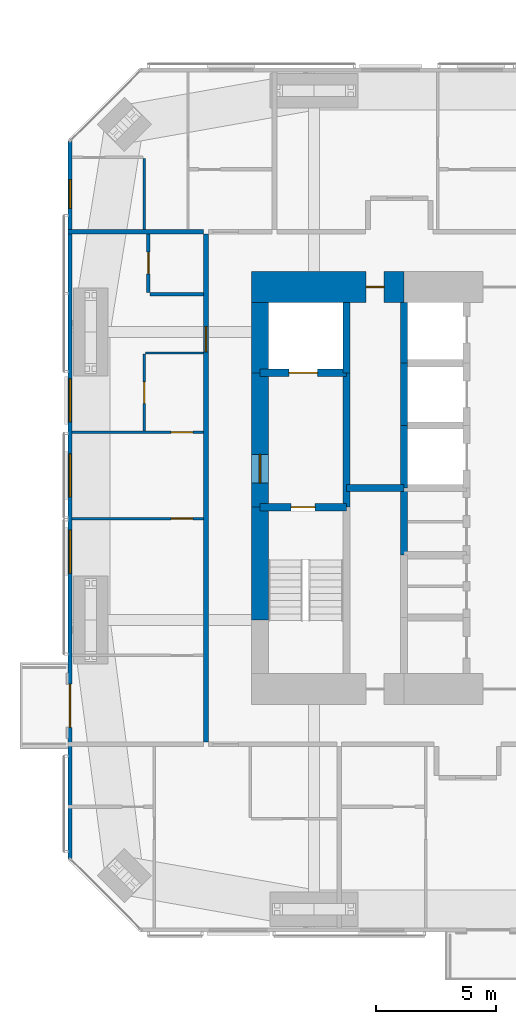
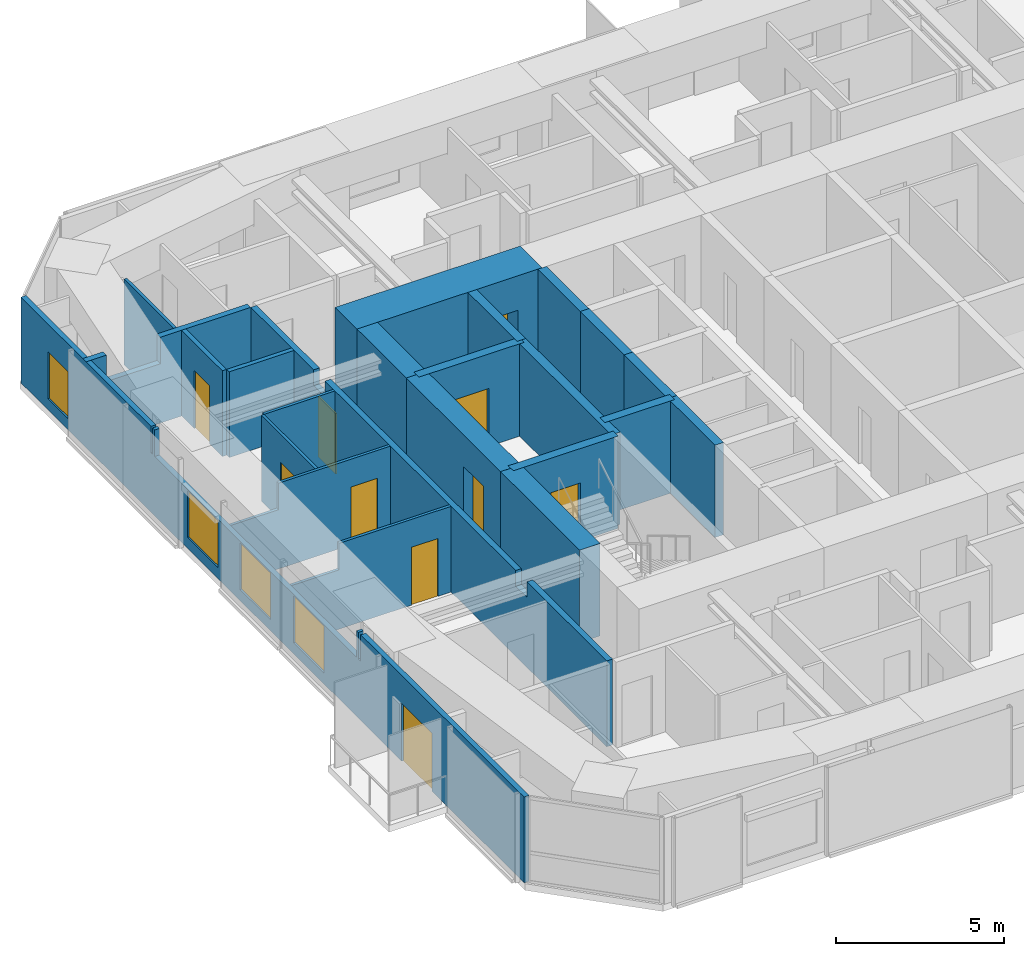
# One storey, part 18 of 23: 23 walls, 10 doors, 4 windows, 14 openings.
"""IFC4 building model written with IfcOpenShell, lengths in metres."""

from ifc_helpers import new_model, si_unit, direction, frame, frame_2d, origin, place, context, subcontext, project, spatial, polyline, rectangle, outline, extrude, material, layer, layer_set, constituent, constituent_set, type_object, element, fill, save


model = new_model("IFC4")

# Units and contexts
model_context = context("Model", 3, precision=1e-05, world=origin(), true_north=direction((0.0, 1.0)))
body_context = subcontext(model_context, "Body", "Model", "MODEL_VIEW")
ifc_project = project(units=[si_unit("LENGTHUNIT", "METRE"), si_unit("AREAUNIT", "SQUARE_METRE"), si_unit("VOLUMEUNIT", "CUBIC_METRE"), si_unit("PLANEANGLEUNIT", "RADIAN"), si_unit("MASSUNIT", "GRAM", prefix="KILO")], contexts=[model_context])

# Site, building, storey
site_placement = place(None, origin())
site = spatial("IfcSite", under=ifc_project, at=site_placement, CompositionType="ELEMENT")
building_placement = place(site_placement, origin())
building = spatial("IfcBuilding", under=site, at=building_placement, Name="Jalousie Tower", CompositionType="ELEMENT")
storey_placement = place(building_placement, frame((0.0, 0.0, 191.199951171875)))
storey = spatial("IfcBuildingStorey", under=building, at=storey_placement, Name="L52", CompositionType="ELEMENT", Elevation=191.199951171875)

# Wall, opening, door
ifc_material_1 = material(Name="Concrete block ASTM C90", Category="concrete")
ifc_constituent_1 = constituent(ifc_material_1, Name="Body")
ifc_material_2 = material(Name="Render")
ifc_constituent_2 = constituent(ifc_material_2, Name="Finish")
ifc_constituent_set_1 = constituent_set(constituents=[ifc_constituent_1, ifc_constituent_2])
wall_type_1 = type_object("IfcWallType", Name="BATHROOM WALL 150", PredefinedType="PLUMBINGWALL", material=ifc_constituent_set_1)
wall_1_placement = place(storey_placement, frame((15.35009765625, 26.64990234375, 0.0), z_axis=(0.0, 0.0, 1.0), x_axis=(0.0, 1.0, 0.0)))
wall_1 = element("IfcWall", 1, at=wall_1_placement, inside=storey, type_object=wall_type_1, Name="Bathroom Wall 150 L52", PredefinedType="PLUMBINGWALL", context=body_context, shape_type="SweptSolid", body=[
    extrude(rectangle(XDim=2.425048828125, YDim=0.14990234375, at=frame_2d((1.21240234375, 0.0))), origin(), (0.0, 0.0, 1.0), 3.110107421875),
])
opening_1_placement = place(wall_1_placement, frame((0.77490234375, 0.0, 0.0)))
opening_1 = element("IfcOpeningElement", 2, at=opening_1_placement, cuts=wall_1, Name="Opening D3", PredefinedType="OPENING", context=body_context, shape_type="SweptSolid", body=[
    extrude(rectangle(XDim=0.89990234375, YDim=2.10009765625, at=frame_2d((0.449951171875, 1.050048828125))), frame((0.0, 0.0849609375, 0.0), z_axis=(0.0, -1.0, 0.0), x_axis=(1.0, 0.0, 0.0)), (0.0, 0.0, 1.0), 0.169921875),
])
ifc_material_3 = material(Name="Timber door", Category="wood")
door_type_1 = type_object("IfcDoorType", Name="BATHROOM DOOR 900", OperationType="SINGLE_SWING_LEFT", PredefinedType="DOOR", material=ifc_material_3)
door_1_placement = place(opening_1_placement, frame((0.89990234375, 0.0, 0.0), z_axis=(0.0, 0.0, 1.0), x_axis=(-1.0, 0.0, 0.0)))
door_1 = element("IfcDoor", 3, at=door_1_placement, inside=storey, type_object=door_type_1, Name="Apartment 5208 bathroom door", OperationType="SINGLE_SWING_LEFT", OverallHeight=2.10009765625, OverallWidth=0.89990234375, PredefinedType="DOOR", context=body_context, shape_type="SweptSolid", body=[
    extrude(rectangle(XDim=0.89990234375, YDim=2.10009765625, at=frame_2d((0.449951171875, 1.050048828125))), frame((0.0, 0.02490234375, 0.0), z_axis=(0.0, -1.0, 0.0), x_axis=(1.0, 0.0, 0.0)), (0.0, 0.0, 1.0), 0.050048828125),
])
fill(opening_1, door_1)

# Wall
wall_2_placement = place(storey_placement, frame((15.425048828125, 26.574951171875, 0.0), z_axis=(0.0, 0.0, 1.0), x_axis=(1.0, 0.0, 0.0)))
element("IfcWall", 4, at=wall_2_placement, inside=storey, type_object=wall_type_1, Name="Bathroom Wall 150 L52", PredefinedType="PLUMBINGWALL", context=body_context, shape_type="SweptSolid", body=[
    extrude(rectangle(XDim=2.224853515625, YDim=0.14990234375, at=frame_2d((1.1123046875, 0.0))), origin(), (0.0, 0.0, 1.0), 3.110107421875),
])

# Wall, opening, door
ifc_material_4 = material(Name="Concrete f'c 120 MPa", Category="concrete")
ifc_layer_1 = layer(ifc_material_4, 1.300048828125)
ifc_layer_set_1 = layer_set([ifc_layer_1], Name="Concrete f'c 120 MPa")
wall_type_2 = type_object("IfcWallType", Name="CORE WALL 1300", PredefinedType="SHEAR", material=ifc_layer_set_1)
wall_3_placement = place(storey_placement, frame((26.0, 26.875, 0.0), z_axis=(0.0, 0.0, 1.0), x_axis=(-1.0, 0.0, 0.0)))
wall_3 = element("IfcWall", 5, at=wall_3_placement, inside=storey, type_object=wall_type_2, Name="Core wall ND L52", PredefinedType="SHEAR", context=body_context, shape_type="SweptSolid", body=[
    extrude(rectangle(XDim=6.35009765625, YDim=1.300048828125, at=frame_2d((3.175048828125, 0.0))), origin(), (0.0, 0.0, 1.0), 3.35009765625),
])
opening_2_placement = place(wall_3_placement, frame((0.824951171875, 0.0, 0.0)))
opening_2 = element("IfcOpeningElement", 6, at=opening_2_placement, cuts=wall_3, Name="Opening D16", PredefinedType="OPENING", context=body_context, shape_type="SweptSolid", body=[
    extrude(rectangle(XDim=0.75, YDim=2.10009765625, at=frame_2d((0.375, 1.050048828125))), frame((0.0, 0.659912109375, 0.0), z_axis=(0.0, -1.0, 0.0), x_axis=(1.0, 0.0, 0.0)), (0.0, 0.0, 1.0), 1.320068359375),
])
ifc_material_5 = material(Name="Steel fire door", Category="steel")
door_type_2 = type_object("IfcDoorType", Name="RISER DOOR 750", OperationType="SINGLE_SWING_LEFT", PredefinedType="DOOR", material=ifc_material_5)
door_2_placement = place(opening_2_placement, origin())
door_2 = element("IfcDoor", 7, at=door_2_placement, inside=storey, type_object=door_type_2, Name="North riser door", OperationType="SINGLE_SWING_RIGHT", OverallHeight=2.10009765625, OverallWidth=0.75, PredefinedType="DOOR", context=body_context, shape_type="SweptSolid", body=[
    extrude(rectangle(XDim=0.75, YDim=2.10009765625, at=frame_2d((0.375, 1.050048828125))), frame((0.0, 0.02490234375, 0.0), z_axis=(0.0, -1.0, 0.0), x_axis=(1.0, 0.0, 0.0)), (0.0, 0.0, 1.0), 0.050048828125),
])
fill(opening_2, door_2)

# Walls
ifc_material_6 = material(Name="Concrete f'c 120 MPa", Category="concrete")
ifc_layer_2 = layer(ifc_material_6, 0.300048828125)
ifc_layer_set_2 = layer_set([ifc_layer_2], Name="Concrete f'c 120 MPa")
wall_type_3 = type_object("IfcWallType", Name="CORE WALL 300", PredefinedType="SHEAR", material=ifc_layer_set_2)
wall_4_placement = place(storey_placement, frame((23.60009765625, 17.699951171875, 0.0), z_axis=(0.0, 0.0, 1.0), x_axis=(0.0, 1.0, 0.0)))
element("IfcWall", 8, at=wall_4_placement, inside=storey, type_object=wall_type_3, Name="Core wall X23.6B L52", PredefinedType="SHEAR", context=body_context, shape_type="SweptSolid", body=[
    extrude(rectangle(XDim=5.60009765625, YDim=0.300048828125, at=frame_2d((2.800048828125, 0.0))), origin(), (0.0, 0.0, 1.0), 3.35009765625),
])
wall_5_placement = place(storey_placement, frame((23.60009765625, 23.300048828125, 0.0), z_axis=(0.0, 0.0, 1.0), x_axis=(0.0, 1.0, 0.0)))
element("IfcWall", 9, at=wall_5_placement, inside=storey, type_object=wall_type_3, Name="Core wall X23.6C L52", PredefinedType="SHEAR", context=body_context, shape_type="SweptSolid", body=[
    extrude(rectangle(XDim=2.925048828125, YDim=0.300048828125, at=frame_2d((1.46240234375, 0.0))), origin(), (0.0, 0.0, 1.0), 3.35009765625),
])
wall_6_placement = place(storey_placement, frame((26.0, 15.699951171875, 0.0), z_axis=(0.0, 0.0, 1.0), x_axis=(0.0, 1.0, 0.0)))
element("IfcWall", 10, at=wall_6_placement, inside=storey, type_object=wall_type_3, Name="Core wall X26C L52", PredefinedType="SHEAR", context=body_context, shape_type="SweptSolid", body=[
    extrude(rectangle(XDim=2.800048828125, YDim=0.300048828125, at=frame_2d((1.39990234375, 0.0))), origin(), (0.0, 0.0, 1.0), 3.35009765625),
])
wall_7_placement = place(storey_placement, frame((26.0, 18.5, 0.0), z_axis=(0.0, 0.0, 1.0), x_axis=(0.0, 1.0, 0.0)))
element("IfcWall", 11, at=wall_7_placement, inside=storey, type_object=wall_type_3, Name="Core wall X26D L52", PredefinedType="SHEAR", context=body_context, shape_type="SweptSolid", body=[
    extrude(rectangle(XDim=2.60009765625, YDim=0.300048828125, at=frame_2d((1.300048828125, 0.0))), origin(), (0.0, 0.0, 1.0), 3.35009765625),
])
wall_8_placement = place(storey_placement, frame((26.0, 21.10009765625, 0.0), z_axis=(0.0, 0.0, 1.0), x_axis=(0.0, 1.0, 0.0)))
element("IfcWall", 12, at=wall_8_placement, inside=storey, type_object=wall_type_3, Name="Core wall X26E L52", PredefinedType="SHEAR", context=body_context, shape_type="SweptSolid", body=[
    extrude(rectangle(XDim=2.599853515625, YDim=0.300048828125, at=frame_2d((1.2998046875, 0.0))), origin(), (0.0, 0.0, 1.0), 3.35009765625),
])
wall_9_placement = place(storey_placement, frame((26.0, 23.699951171875, 0.0), z_axis=(0.0, 0.0, 1.0), x_axis=(0.0, 1.0, 0.0)))
element("IfcWall", 13, at=wall_9_placement, inside=storey, type_object=wall_type_3, Name="Core wall X26F L52", PredefinedType="SHEAR", context=body_context, shape_type="SweptSolid", body=[
    extrude(rectangle(XDim=2.525146484375, YDim=0.300048828125, at=frame_2d((1.2626953125, 0.0))), origin(), (0.0, 0.0, 1.0), 3.35009765625),
])

# Wall, opening, door
wall_10_placement = place(storey_placement, frame((20.0, 17.699951171875, 0.0), z_axis=(0.0, 0.0, 1.0), x_axis=(1.0, 0.0, 0.0)))
wall_10 = element("IfcWall", 14, at=wall_10_placement, inside=storey, type_object=wall_type_3, Name="Core wall Y20-17.7 L52", PredefinedType="SHEAR", context=body_context, shape_type="SweptSolid", body=[
    extrude(rectangle(XDim=3.60009765625, YDim=0.300048828125, at=frame_2d((1.800048828125, 0.0))), origin(), (0.0, 0.0, 1.0), 3.35009765625),
])
opening_3_placement = place(wall_10_placement, frame((1.300048828125, 0.0, 0.0)))
opening_3 = element("IfcOpeningElement", 15, at=opening_3_placement, cuts=wall_10, Name="Opening D10", PredefinedType="OPENING", context=body_context, shape_type="SweptSolid", body=[
    extrude(rectangle(XDim=1.0, YDim=2.10009765625, at=frame_2d((0.5, 1.050048828125))), frame((0.0, 0.159912109375, 0.0), z_axis=(0.0, -1.0, 0.0), x_axis=(1.0, 0.0, 0.0)), (0.0, 0.0, 1.0), 0.320068359375),
])
ifc_material_7 = material(Name="Steel fire door", Category="steel")
door_type_3 = type_object("IfcDoorType", Name="STAIR DOOR 1000", OperationType="SINGLE_SWING_LEFT", PredefinedType="DOOR", material=ifc_material_7)
door_3_placement = place(opening_3_placement, frame((1.0, 0.0, 0.0), z_axis=(0.0, 0.0, 1.0), x_axis=(-1.0, 0.0, 0.0)))
door_3 = element("IfcDoor", 16, at=door_3_placement, inside=storey, type_object=door_type_3, Name="Exit stair A door", OperationType="SINGLE_SWING_RIGHT", OverallHeight=2.10009765625, OverallWidth=1.0, PredefinedType="DOOR", context=body_context, shape_type="SweptSolid", body=[
    extrude(rectangle(XDim=1.0, YDim=2.10009765625, at=frame_2d((0.5, 1.050048828125))), frame((0.0, 0.02490234375, 0.0), z_axis=(0.0, -1.0, 0.0), x_axis=(1.0, 0.0, 0.0)), (0.0, 0.0, 1.0), 0.050048828125),
])
fill(opening_3, door_3)

wall_11_placement = place(storey_placement, frame((20.0, 23.300048828125, 0.0), z_axis=(0.0, 0.0, 1.0), x_axis=(1.0, 0.0, 0.0)))
wall_11 = element("IfcWall", 17, at=wall_11_placement, inside=storey, type_object=wall_type_3, Name="Core wall Y20-23.3 L52", PredefinedType="SHEAR", context=body_context, shape_type="SweptSolid", body=[
    extrude(rectangle(XDim=3.60009765625, YDim=0.300048828125, at=frame_2d((1.800048828125, 0.0))), origin(), (0.0, 0.0, 1.0), 3.35009765625),
])
opening_4_placement = place(wall_11_placement, frame((1.199951171875, 0.0, 0.0)))
opening_4 = element("IfcOpeningElement", 18, at=opening_4_placement, cuts=wall_11, Name="Opening LD2", PredefinedType="OPENING", context=body_context, shape_type="SweptSolid", body=[
    extrude(rectangle(XDim=1.199951171875, YDim=2.10009765625, at=frame_2d((0.60009765625, 1.050048828125))), frame((0.0, 0.159912109375, 0.0), z_axis=(0.0, -1.0, 0.0), x_axis=(1.0, 0.0, 0.0)), (0.0, 0.0, 1.0), 0.320068359375),
])
ifc_material_8 = material(Name="Steel lift landing door", Category="steel")
door_type_4 = type_object("IfcDoorType", Name="LIFT LANDING DOOR 1200", OperationType="SLIDING_TO_LEFT", PredefinedType="DOOR", material=ifc_material_8)
door_4_placement = place(opening_4_placement, origin())
door_4 = element("IfcDoor", 19, at=door_4_placement, inside=storey, type_object=door_type_4, Name="Lift F1 landing door", OperationType="SLIDING_TO_LEFT", OverallHeight=2.10009765625, OverallWidth=1.199951171875, PredefinedType="DOOR", context=body_context, shape_type="SweptSolid", body=[
    extrude(rectangle(XDim=1.199951171875, YDim=2.10009765625, at=frame_2d((0.60009765625, 1.050048828125))), frame((0.0, 0.02490234375, 0.0), z_axis=(0.0, -1.0, 0.0), x_axis=(1.0, 0.0, 0.0)), (0.0, 0.0, 1.0), 0.050048828125),
])
fill(opening_4, door_4)

# Walls
wall_12_placement = place(storey_placement, frame((23.60009765625, 18.5, 0.0), z_axis=(0.0, 0.0, 1.0), x_axis=(1.0, 0.0, 0.0)))
element("IfcWall", 20, at=wall_12_placement, inside=storey, type_object=wall_type_3, Name="Core wall Y23.6-18.5 L52", PredefinedType="SHEAR", context=body_context, shape_type="SweptSolid", body=[
    extrude(rectangle(XDim=2.39990234375, YDim=0.300048828125, at=frame_2d((1.199951171875, 0.0))), origin(), (0.0, 0.0, 1.0), 3.35009765625),
])
ifc_material_9 = material(Name="Concrete f'c 120 MPa", Category="concrete")
ifc_layer_3 = layer(ifc_material_9, 0.699951171875)
ifc_layer_set_3 = layer_set([ifc_layer_3], Name="Concrete f'c 120 MPa")
wall_type_4 = type_object("IfcWallType", Name="CORE WALL 700", PredefinedType="SHEAR", material=ifc_layer_set_3)
wall_13_placement = place(storey_placement, frame((20.0, 26.22509765625, 0.0), z_axis=(0.0, 0.0, 1.0), x_axis=(0.0, -1.0, 0.0)))
element("IfcWall", 21, at=wall_13_placement, inside=storey, type_object=wall_type_4, Name="Core wall WA L52", PredefinedType="SHEAR", context=body_context, shape_type="SweptSolid", body=[
    extrude(rectangle(XDim=2.925048828125, YDim=0.699951171875, at=frame_2d((1.46240234375, 0.0))), origin(), (0.0, 0.0, 1.0), 3.35009765625),
])

# Wall, opening, door
wall_14_placement = place(storey_placement, frame((20.0, 23.300048828125, 0.0), z_axis=(0.0, 0.0, 1.0), x_axis=(0.0, -1.0, 0.0)))
wall_14 = element("IfcWall", 22, at=wall_14_placement, inside=storey, type_object=wall_type_4, Name="Core wall WB L52", PredefinedType="SHEAR", context=body_context, shape_type="SweptSolid", body=[
    extrude(rectangle(XDim=5.60009765625, YDim=0.699951171875, at=frame_2d((2.800048828125, 0.0))), origin(), (0.0, 0.0, 1.0), 3.35009765625),
])
opening_5_placement = place(wall_14_placement, frame((3.39990234375, 0.0, 0.0)))
opening_5 = element("IfcOpeningElement", 23, at=opening_5_placement, cuts=wall_14, Name="Opening D11", PredefinedType="OPENING", context=body_context, shape_type="SweptSolid", body=[
    extrude(rectangle(XDim=1.199951171875, YDim=2.199951171875, at=frame_2d((0.60009765625, 1.10009765625))), frame((0.0, 0.35986328125, 0.0), z_axis=(0.0, -1.0, 0.0), x_axis=(1.0, 0.0, 0.0)), (0.0, 0.0, 1.0), 0.719970703125),
])
ifc_material_10 = material(Name="Steel fire door", Category="steel")
door_type_5 = type_object("IfcDoorType", Name="FIRE DOOR 1200", OperationType="SINGLE_SWING_LEFT", PredefinedType="DOOR", material=ifc_material_10)
door_5_placement = place(opening_5_placement, origin())
door_5 = element("IfcDoor", 24, at=door_5_placement, inside=storey, type_object=door_type_5, Name="Fire-fighting lobby A door", OperationType="SINGLE_SWING_RIGHT", OverallHeight=2.199951171875, OverallWidth=1.199951171875, PredefinedType="DOOR", context=body_context, shape_type="SweptSolid", body=[
    extrude(rectangle(XDim=1.199951171875, YDim=2.199951171875, at=frame_2d((0.60009765625, 1.10009765625))), frame((0.0, 0.02490234375, 0.0), z_axis=(0.0, -1.0, 0.0), x_axis=(1.0, 0.0, 0.0)), (0.0, 0.0, 1.0), 0.050048828125),
])
fill(opening_5, door_5)

# Wall
wall_15_placement = place(storey_placement, frame((20.0, 17.699951171875, 0.0), z_axis=(0.0, 0.0, 1.0), x_axis=(0.0, -1.0, 0.0)))
element("IfcWall", 25, at=wall_15_placement, inside=storey, type_object=wall_type_4, Name="Core wall WC L52", PredefinedType="SHEAR", context=body_context, shape_type="SweptSolid", body=[
    extrude(rectangle(XDim=4.699951171875, YDim=0.699951171875, at=frame_2d((2.35009765625, 0.0))), origin(), (0.0, 0.0, 1.0), 3.35009765625),
])

# Wall, opening, door
ifc_material_11 = material(Name="Concrete block ASTM C90", Category="concrete")
ifc_constituent_3 = constituent(ifc_material_11, Name="Body")
ifc_material_12 = material(Name="Render")
ifc_constituent_4 = constituent(ifc_material_12, Name="Finish")
ifc_constituent_set_2 = constituent_set(constituents=[ifc_constituent_3, ifc_constituent_4])
wall_type_5 = type_object("IfcWallType", Name="CORRIDOR WALL 200", PredefinedType="PARTITIONING", material=ifc_constituent_set_2)
wall_16_placement = place(storey_placement, frame((17.75, 7.925048828125, 0.0), z_axis=(0.0, 0.0, 1.0), x_axis=(0.0, 1.0, 0.0)))
wall_16 = element("IfcWall", 26, at=wall_16_placement, inside=storey, type_object=wall_type_5, Name="Corridor Wall 200 L52", PredefinedType="PARTITIONING", context=body_context, shape_type="SweptSolid", body=[
    extrude(outline(polyline([(0.0, 0.0), (21.14990234375, 0.0), (21.14990234375, 3.110107421875), (17.412353515625, 3.110107421875), (17.412353515625, 2.541015625), (16.737548828125, 2.541015625), (16.737548828125, 3.110107421875), (5.412353515625, 3.110107421875), (5.412353515625, 2.541015625), (4.73779296875, 2.541015625), (4.73779296875, 3.110107421875), (0.0, 3.110107421875), (0.0, 0.0)])), frame((0.0, 0.10009765625, 0.0), z_axis=(0.0, -1.0, 0.0), x_axis=(1.0, 0.0, 0.0)), (0.0, 0.0, 1.0), 0.199951171875),
])
opening_6_placement = place(wall_16_placement, frame((16.25, 0.0, 0.0)))
opening_6 = element("IfcOpeningElement", 27, at=opening_6_placement, cuts=wall_16, Name="Opening D1", PredefinedType="OPENING", context=body_context, shape_type="SweptSolid", body=[
    extrude(rectangle(XDim=1.050048828125, YDim=2.199951171875, at=frame_2d((0.52490234375, 1.10009765625))), frame((0.0, 0.10986328125, 0.0), z_axis=(0.0, -1.0, 0.0), x_axis=(1.0, 0.0, 0.0)), (0.0, 0.0, 1.0), 0.219970703125),
])
ifc_material_13 = material(Name="Timber fire door", Category="wood")
door_type_6 = type_object("IfcDoorType", Name="APARTMENT ENTRANCE DOOR 1050", OperationType="SINGLE_SWING_LEFT", PredefinedType="DOOR", material=ifc_material_13)
door_6_placement = place(opening_6_placement, origin())
door_6 = element("IfcDoor", 28, at=door_6_placement, inside=storey, type_object=door_type_6, Name="Apartment 5208 entrance", OperationType="SINGLE_SWING_LEFT", OverallHeight=2.199951171875, OverallWidth=1.050048828125, PredefinedType="DOOR", context=body_context, shape_type="SweptSolid", body=[
    extrude(rectangle(XDim=1.050048828125, YDim=2.199951171875, at=frame_2d((0.52490234375, 1.10009765625))), frame((0.0, 0.02490234375, 0.0), z_axis=(0.0, -1.0, 0.0), x_axis=(1.0, 0.0, 0.0)), (0.0, 0.0, 1.0), 0.050048828125),
])
fill(opening_6, door_6)

# Wall, openings, door, windows
ifc_material_14 = material(Name="Concrete f'c 40 MPa", Category="concrete")
ifc_constituent_5 = constituent(ifc_material_14, Name="Body")
ifc_material_15 = material(Name="Render, pastel lemon")
ifc_constituent_6 = constituent(ifc_material_15, Name="Finish")
ifc_constituent_set_3 = constituent_set(constituents=[ifc_constituent_5, ifc_constituent_6])
wall_type_6 = type_object("IfcWallType", Name="EXTERNAL WALL 175 LEMON RENDER", PredefinedType="SOLIDWALL", material=ifc_constituent_set_3)
wall_17_placement = place(storey_placement, frame((12.08740234375, 32.94873046875, 0.0), z_axis=(0.0, 0.0, 1.0), x_axis=(0.0, -1.0, 0.0)))
wall_17 = element("IfcWall", 29, at=wall_17_placement, inside=storey, type_object=wall_type_6, Name="External Wall 175 Lemon Render L52", PredefinedType="SOLIDWALL", context=body_context, shape_type="SweptSolid", body=[
    extrude(outline(polyline([(0.0, 0.0), (29.8974609375, 0.0), (29.8974609375, 3.110107421875), (20.19140625, 3.110107421875), (20.19140625, 2.150146484375), (20.050537109375, 2.150146484375), (20.050537109375, 3.110107421875), (19.94873046875, 3.110107421875), (19.94873046875, 2.150146484375), (7.94873046875, 2.150146484375), (7.94873046875, 3.110107421875), (7.823486328125, 3.110107421875), (7.823486328125, 2.150146484375), (7.729736328125, 2.150146484375), (7.729736328125, 3.110107421875), (0.0, 3.110107421875), (0.0, 0.0)])), frame((0.0, 0.08740234375, 0.0), z_axis=(0.0, -1.0, 0.0), x_axis=(1.0, 0.0, 0.0)), (0.0, 0.0, 1.0), 0.175048828125),
])
opening_7_placement = place(wall_17_placement, frame((1.5986328125, 0.0, 0.39990234375)))
opening_7 = element("IfcOpeningElement", 30, at=opening_7_placement, cuts=wall_17, Name="Opening W-COR170", PredefinedType="OPENING", context=body_context, shape_type="SweptSolid", body=[
    extrude(rectangle(XDim=1.199951171875, YDim=1.699951171875, at=frame_2d((0.60009765625, 0.85009765625))), frame((0.0, 0.097412109375, 0.0), z_axis=(0.0, -1.0, 0.0), x_axis=(1.0, 0.0, 0.0)), (0.0, 0.0, 1.0), 0.195068359375),
])
opening_8_placement = place(wall_17_placement, frame((9.898681640625, 0.0, 0.39990234375)))
opening_8 = element("IfcOpeningElement", 31, at=opening_8_placement, cuts=wall_17, Name="Opening W-BED170", PredefinedType="OPENING", context=body_context, shape_type="SweptSolid", body=[
    extrude(rectangle(XDim=1.800048828125, YDim=1.699951171875, at=frame_2d((0.89990234375, 0.85009765625))), frame((0.0, 0.097412109375, 0.0), z_axis=(0.0, -1.0, 0.0), x_axis=(1.0, 0.0, 0.0)), (0.0, 0.0, 1.0), 0.195068359375),
])
opening_9_placement = place(wall_17_placement, frame((13.023681640625, 0.0, 0.39990234375)))
opening_9 = element("IfcOpeningElement", 32, at=opening_9_placement, cuts=wall_17, Name="Opening W-BED170", PredefinedType="OPENING", context=body_context, shape_type="SweptSolid", body=[
    extrude(rectangle(XDim=1.800048828125, YDim=1.699951171875, at=frame_2d((0.89990234375, 0.85009765625))), frame((0.0, 0.097412109375, 0.0), z_axis=(0.0, -1.0, 0.0), x_axis=(1.0, 0.0, 0.0)), (0.0, 0.0, 1.0), 0.195068359375),
])
opening_10_placement = place(wall_17_placement, frame((16.201171875, 0.0, 0.39990234375)))
opening_10 = element("IfcOpeningElement", 33, at=opening_10_placement, cuts=wall_17, Name="Opening W-BED170", PredefinedType="OPENING", context=body_context, shape_type="SweptSolid", body=[
    extrude(rectangle(XDim=1.800048828125, YDim=1.699951171875, at=frame_2d((0.89990234375, 0.85009765625))), frame((0.0, 0.097412109375, 0.0), z_axis=(0.0, -1.0, 0.0), x_axis=(1.0, 0.0, 0.0)), (0.0, 0.0, 1.0), 0.195068359375),
])
opening_11_placement = place(wall_17_placement, frame((22.623779296875, 0.0, 0.0)))
opening_11 = element("IfcOpeningElement", 34, at=opening_11_placement, cuts=wall_17, Name="Opening D-BAL21", PredefinedType="OPENING", context=body_context, shape_type="SweptSolid", body=[
    extrude(rectangle(XDim=1.800048828125, YDim=2.10009765625, at=frame_2d((0.89990234375, 1.050048828125))), frame((0.0, 0.097412109375, 0.0), z_axis=(0.0, -1.0, 0.0), x_axis=(1.0, 0.0, 0.0)), (0.0, 0.0, 1.0), 0.195068359375),
])
ifc_material_16 = material(Name="Aluminium frame, impact-rated glazing", Category="aluminium")
door_type_7 = type_object("IfcDoorType", Name="BALCONY DOOR 1800x2100", OperationType="SLIDING_TO_LEFT", PredefinedType="DOOR", material=ifc_material_16)
door_7_placement = place(opening_11_placement, origin())
door_7 = element("IfcDoor", 35, at=door_7_placement, inside=storey, type_object=door_type_7, Name="Apartment 5208 bedroom 1 balcony door", OperationType="SLIDING_TO_LEFT", OverallHeight=2.10009765625, OverallWidth=1.800048828125, PredefinedType="DOOR", context=body_context, shape_type="SweptSolid", body=[
    extrude(rectangle(XDim=1.800048828125, YDim=2.10009765625, at=frame_2d((0.89990234375, 1.050048828125))), frame((0.0, 0.02490234375, 0.0), z_axis=(0.0, -1.0, 0.0), x_axis=(1.0, 0.0, 0.0)), (0.0, 0.0, 1.0), 0.050048828125),
])
fill(opening_11, door_7)
ifc_material_17 = material(Name="Aluminium frame, impact-rated glazing", Category="aluminium")
window_type_1 = type_object("IfcWindowType", Name="WINDOW BED 1800x1700", PartitioningType="SINGLE_PANEL", PredefinedType="WINDOW", material=ifc_material_17)
window_1_placement = place(opening_8_placement, origin())
window_1 = element("IfcWindow", 36, at=window_1_placement, inside=storey, type_object=window_type_1, Name="Apartment 5208 living and dining room window", OverallHeight=1.699951171875, OverallWidth=1.800048828125, PartitioningType="SINGLE_PANEL", PredefinedType="WINDOW", context=body_context, shape_type="SweptSolid", body=[
    extrude(rectangle(XDim=1.800048828125, YDim=1.699951171875, at=frame_2d((0.89990234375, 0.85009765625))), frame((0.0, 0.030029296875, 0.0), z_axis=(0.0, -1.0, 0.0), x_axis=(1.0, 0.0, 0.0)), (0.0, 0.0, 1.0), 0.06005859375),
])
fill(opening_8, window_1)
window_2_placement = place(opening_9_placement, origin())
window_2 = element("IfcWindow", 37, at=window_2_placement, inside=storey, type_object=window_type_1, Name="Apartment 5208 bedroom 3 window", OverallHeight=1.699951171875, OverallWidth=1.800048828125, PartitioningType="SINGLE_PANEL", PredefinedType="WINDOW", context=body_context, shape_type="SweptSolid", body=[
    extrude(rectangle(XDim=1.800048828125, YDim=1.699951171875, at=frame_2d((0.89990234375, 0.85009765625))), frame((0.0, 0.030029296875, 0.0), z_axis=(0.0, -1.0, 0.0), x_axis=(1.0, 0.0, 0.0)), (0.0, 0.0, 1.0), 0.06005859375),
])
fill(opening_9, window_2)
window_3_placement = place(opening_10_placement, origin())
window_3 = element("IfcWindow", 38, at=window_3_placement, inside=storey, type_object=window_type_1, Name="Apartment 5208 bedroom 2 window", OverallHeight=1.699951171875, OverallWidth=1.800048828125, PartitioningType="SINGLE_PANEL", PredefinedType="WINDOW", context=body_context, shape_type="SweptSolid", body=[
    extrude(rectangle(XDim=1.800048828125, YDim=1.699951171875, at=frame_2d((0.89990234375, 0.85009765625))), frame((0.0, 0.030029296875, 0.0), z_axis=(0.0, -1.0, 0.0), x_axis=(1.0, 0.0, 0.0)), (0.0, 0.0, 1.0), 0.06005859375),
])
fill(opening_10, window_3)
ifc_material_18 = material(Name="Aluminium frame, impact-rated glazing", Category="aluminium")
window_type_2 = type_object("IfcWindowType", Name="WINDOW COR 1200x1700", PartitioningType="SINGLE_PANEL", PredefinedType="WINDOW", material=ifc_material_18)
window_4_placement = place(opening_7_placement, origin())
window_4 = element("IfcWindow", 39, at=window_4_placement, inside=storey, type_object=window_type_2, Name="Apartment 5204 kitchen window", OverallHeight=1.699951171875, OverallWidth=1.199951171875, PartitioningType="SINGLE_PANEL", PredefinedType="WINDOW", context=body_context, shape_type="SweptSolid", body=[
    extrude(rectangle(XDim=1.199951171875, YDim=1.699951171875, at=frame_2d((0.60009765625, 0.85009765625))), frame((0.0, 0.030029296875, 0.0), z_axis=(0.0, -1.0, 0.0), x_axis=(1.0, 0.0, 0.0)), (0.0, 0.0, 1.0), 0.06005859375),
])
fill(opening_7, window_4)

# Wall
ifc_material_19 = material(Name="Gypsum board", Category="gypsum")
ifc_constituent_7 = constituent(ifc_material_19, Name="Body")
ifc_material_20 = material(Name="Light-gauge steel studs ASTM A653 SS Grade 33", Category="steel")
ifc_constituent_8 = constituent(ifc_material_20, Name="Framing")
ifc_constituent_set_4 = constituent_set(constituents=[ifc_constituent_7, ifc_constituent_8])
wall_type_7 = type_object("IfcWallType", Name="PARTITION 100", PredefinedType="PARTITIONING", material=ifc_constituent_set_4)
wall_18_placement = place(storey_placement, frame((15.175048828125, 32.22509765625, 0.0), z_axis=(0.0, 0.0, 1.0), x_axis=(0.0, -1.0, 0.0)))
element("IfcWall", 40, at=wall_18_placement, inside=storey, type_object=wall_type_7, Name="Partition 100 L52", PredefinedType="PARTITIONING", context=body_context, shape_type="SweptSolid", body=[
    extrude(rectangle(XDim=2.9501953125, YDim=0.10009765625, at=frame_2d((1.47509765625, 0.0))), origin(), (0.0, 0.0, 1.0), 3.110107421875),
])

# Wall, opening, door
wall_19_placement = place(storey_placement, frame((12.175048828125, 17.22509765625, 0.0), z_axis=(0.0, 0.0, 1.0), x_axis=(1.0, 0.0, 0.0)))
wall_19 = element("IfcWall", 41, at=wall_19_placement, inside=storey, type_object=wall_type_7, Name="Partition 100 L52", PredefinedType="PARTITIONING", context=body_context, shape_type="SweptSolid", body=[
    extrude(outline(polyline([(0.0, 0.0), (5.474853515625, 0.0), (5.47509765625, 3.110107421875), (1.635009765625, 3.110107421875), (1.635009765625, 2.150146484375), (0.0, 2.150146484375), (0.0, 3.110107421875), (0.0, 0.0)])), frame((0.0, 0.050048828125, 0.0), z_axis=(0.0, -1.0, 0.0), x_axis=(1.0, 0.0, 0.0)), (0.0, 0.0, 1.0), 0.10009765625),
])
opening_12_placement = place(wall_19_placement, frame((4.125, 0.0, 0.0)))
opening_12 = element("IfcOpeningElement", 42, at=opening_12_placement, cuts=wall_19, Name="Opening D2", PredefinedType="OPENING", context=body_context, shape_type="SweptSolid", body=[
    extrude(rectangle(XDim=0.89990234375, YDim=2.10009765625, at=frame_2d((0.449951171875, 1.050048828125))), frame((0.0, 0.06005859375, 0.0), z_axis=(0.0, -1.0, 0.0), x_axis=(1.0, 0.0, 0.0)), (0.0, 0.0, 1.0), 0.1201171875),
])
ifc_material_21 = material(Name="Timber door", Category="wood")
door_type_8 = type_object("IfcDoorType", Name="BEDROOM DOOR 900", OperationType="SINGLE_SWING_LEFT", PredefinedType="DOOR", material=ifc_material_21)
door_8_placement = place(opening_12_placement, frame((0.89990234375, 0.0, 0.0), z_axis=(0.0, 0.0, 1.0), x_axis=(-1.0, 0.0, 0.0)))
door_8 = element("IfcDoor", 43, at=door_8_placement, inside=storey, type_object=door_type_8, Name="Apartment 5208 bedroom 2 door", OperationType="SINGLE_SWING_LEFT", OverallHeight=2.10009765625, OverallWidth=0.89990234375, PredefinedType="DOOR", context=body_context, shape_type="SweptSolid", body=[
    extrude(rectangle(XDim=0.89990234375, YDim=2.10009765625, at=frame_2d((0.449951171875, 1.050048828125))), frame((0.0, 0.02490234375, 0.0), z_axis=(0.0, -1.0, 0.0), x_axis=(1.0, 0.0, 0.0)), (0.0, 0.0, 1.0), 0.050048828125),
])
fill(opening_12, door_8)

wall_20_placement = place(storey_placement, frame((12.175048828125, 20.824951171875, 0.0), z_axis=(0.0, 0.0, 1.0), x_axis=(1.0, 0.0, 0.0)))
wall_20 = element("IfcWall", 44, at=wall_20_placement, inside=storey, type_object=wall_type_7, Name="Partition 100 L52", PredefinedType="PARTITIONING", context=body_context, shape_type="SweptSolid", body=[
    extrude(outline(polyline([(0.0, 0.0), (5.474853515625, 0.0), (5.47509765625, 3.110107421875), (1.635009765625, 3.110107421875), (1.635009765625, 2.150146484375), (0.0, 2.150146484375), (0.0, 3.110107421875), (0.0, 0.0)])), frame((0.0, 0.050048828125, 0.0), z_axis=(0.0, -1.0, 0.0), x_axis=(1.0, 0.0, 0.0)), (0.0, 0.0, 1.0), 0.10009765625),
])
opening_13_placement = place(wall_20_placement, frame((4.125, 0.0, 0.0)))
opening_13 = element("IfcOpeningElement", 45, at=opening_13_placement, cuts=wall_20, Name="Opening D2", PredefinedType="OPENING", context=body_context, shape_type="SweptSolid", body=[
    extrude(rectangle(XDim=0.89990234375, YDim=2.10009765625, at=frame_2d((0.449951171875, 1.050048828125))), frame((0.0, 0.06005859375, 0.0), z_axis=(0.0, -1.0, 0.0), x_axis=(1.0, 0.0, 0.0)), (0.0, 0.0, 1.0), 0.1201171875),
])
door_9_placement = place(opening_13_placement, frame((0.89990234375, 0.0, 0.0), z_axis=(0.0, 0.0, 1.0), x_axis=(-1.0, 0.0, 0.0)))
door_9 = element("IfcDoor", 46, at=door_9_placement, inside=storey, type_object=door_type_8, Name="Apartment 5208 bedroom 3 door", OperationType="SINGLE_SWING_LEFT", OverallHeight=2.10009765625, OverallWidth=0.89990234375, PredefinedType="DOOR", context=body_context, shape_type="SweptSolid", body=[
    extrude(rectangle(XDim=0.89990234375, YDim=2.10009765625, at=frame_2d((0.449951171875, 1.050048828125))), frame((0.0, 0.02490234375, 0.0), z_axis=(0.0, -1.0, 0.0), x_axis=(1.0, 0.0, 0.0)), (0.0, 0.0, 1.0), 0.050048828125),
])
fill(opening_13, door_9)

wall_21_placement = place(storey_placement, frame((15.175048828125, 20.875, 0.0), z_axis=(0.0, 0.0, 1.0), x_axis=(0.0, 1.0, 0.0)))
wall_21 = element("IfcWall", 47, at=wall_21_placement, inside=storey, type_object=wall_type_7, Name="Partition 100 L52", PredefinedType="PARTITIONING", context=body_context, shape_type="SweptSolid", body=[
    extrude(rectangle(XDim=3.199951171875, YDim=0.10009765625, at=frame_2d((1.60009765625, 0.0))), origin(), (0.0, 0.0, 1.0), 3.110107421875),
])
opening_14_placement = place(wall_21_placement, frame((1.14990234375, 0.0, 0.0)))
opening_14 = element("IfcOpeningElement", 48, at=opening_14_placement, cuts=wall_21, Name="Opening D7", PredefinedType="OPENING", context=body_context, shape_type="SweptSolid", body=[
    extrude(rectangle(XDim=0.89990234375, YDim=2.10009765625, at=frame_2d((0.449951171875, 1.050048828125))), frame((0.0, 0.06005859375, 0.0), z_axis=(0.0, -1.0, 0.0), x_axis=(1.0, 0.0, 0.0)), (0.0, 0.0, 1.0), 0.1201171875),
])
ifc_material_22 = material(Name="Timber door", Category="wood")
door_type_9 = type_object("IfcDoorType", Name="INTERNAL DOOR 900", OperationType="SINGLE_SWING_LEFT", PredefinedType="DOOR", material=ifc_material_22)
door_10_placement = place(opening_14_placement, origin())
door_10 = element("IfcDoor", 49, at=door_10_placement, inside=storey, type_object=door_type_9, Name="Apartment 5208 kitchen door", OperationType="SINGLE_SWING_LEFT", OverallHeight=2.10009765625, OverallWidth=0.89990234375, PredefinedType="DOOR", context=body_context, shape_type="SweptSolid", body=[
    extrude(rectangle(XDim=0.89990234375, YDim=2.10009765625, at=frame_2d((0.449951171875, 1.050048828125))), frame((0.0, 0.02490234375, 0.0), z_axis=(0.0, -1.0, 0.0), x_axis=(1.0, 0.0, 0.0)), (0.0, 0.0, 1.0), 0.050048828125),
])
fill(opening_14, door_10)

# Walls
wall_22_placement = place(storey_placement, frame((15.22509765625, 24.125, 0.0), z_axis=(0.0, 0.0, 1.0), x_axis=(1.0, 0.0, 0.0)))
element("IfcWall", 50, at=wall_22_placement, inside=storey, type_object=wall_type_7, Name="Partition 100 L52", PredefinedType="PARTITIONING", context=body_context, shape_type="SweptSolid", body=[
    extrude(rectangle(XDim=2.4248046875, YDim=0.10009765625, at=frame_2d((1.21240234375, 0.0))), origin(), (0.0, 0.0, 1.0), 3.110107421875),
])
ifc_material_23 = material(Name="Concrete block ASTM C90", Category="concrete")
ifc_constituent_9 = constituent(ifc_material_23, Name="Body")
ifc_material_24 = material(Name="Render")
ifc_constituent_10 = constituent(ifc_material_24, Name="Finish")
ifc_constituent_set_5 = constituent_set(constituents=[ifc_constituent_9, ifc_constituent_10])
wall_type_8 = type_object("IfcWallType", Name="PARTY WALL 200", PredefinedType="PARTITIONING", material=ifc_constituent_set_5)
wall_23_placement = place(storey_placement, frame((12.0, 29.175048828125, 0.0), z_axis=(0.0, 0.0, 1.0), x_axis=(1.0, 0.0, 0.0)))
element("IfcWall", 51, at=wall_23_placement, inside=storey, type_object=wall_type_8, Name="Party Wall 200 L52", PredefinedType="PARTITIONING", context=body_context, shape_type="SweptSolid", body=[
    extrude(outline(polyline([(0.0, 0.0), (5.64990234375, 0.0), (5.64990234375, 3.110107421875), (2.546630859375, 3.110107421875), (2.546630859375, 2.150146484375), (0.703125, 2.150146484375), (0.703125, 3.110107421875), (0.0, 3.110107421875), (0.0, 0.0)])), frame((0.0, 0.10009765625, 0.0), z_axis=(0.0, -1.0, 0.0), x_axis=(1.0, 0.0, 0.0)), (0.0, 0.0, 1.0), 0.199951171875),
])

save(model, "model.ifc")
